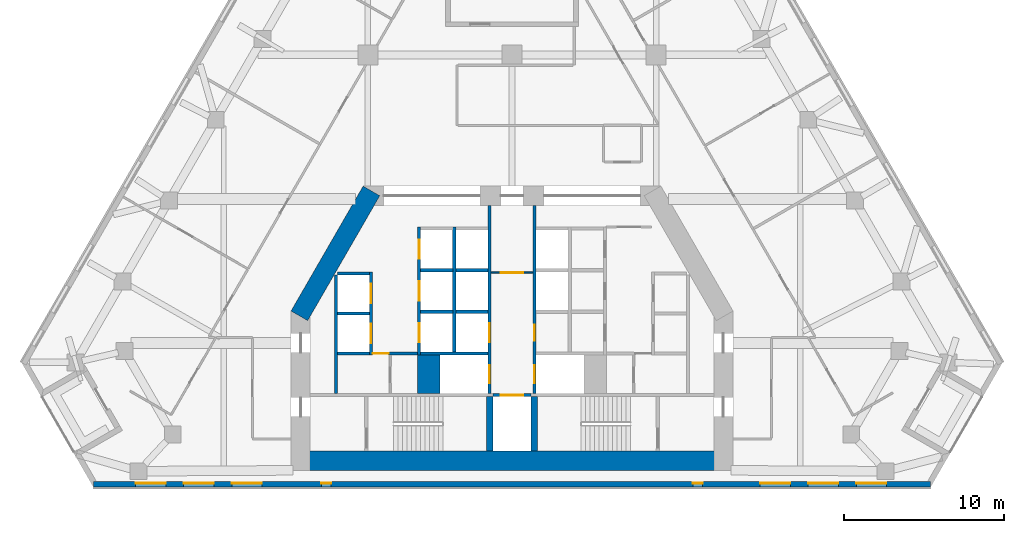
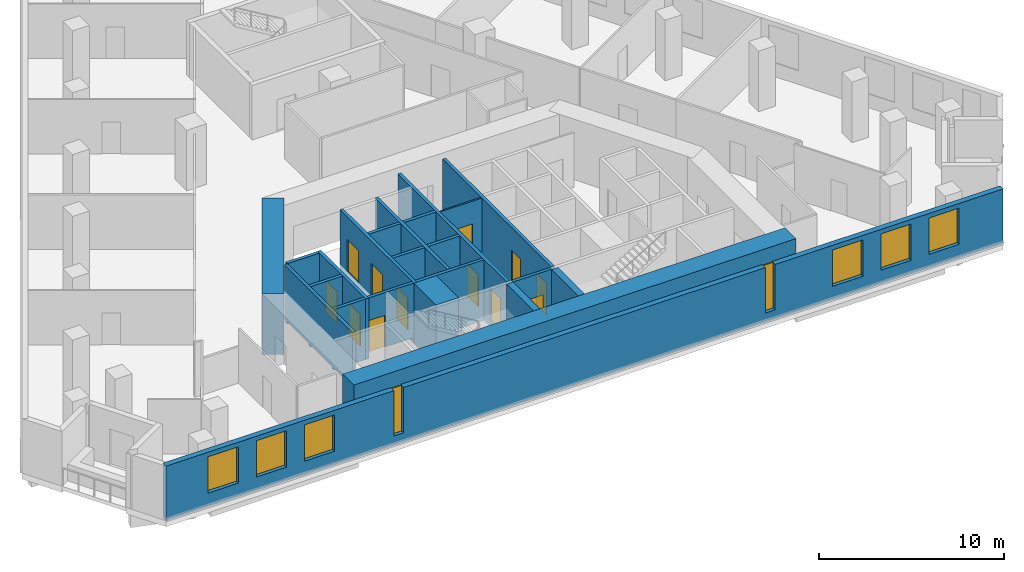
# One storey, part 4 of 9: 23 walls, 12 doors, 8 windows, 20 openings.
"""IFC4 building model written with IfcOpenShell, lengths in metres."""

import ifcopenshell
import ifcopenshell.guid

model = None  # the IFC model being written
_history = None  # IfcOwnerHistory: only IFC2X3 demands one
_inside = {}  # id of a spatial element -> (the spatial element, [elements in it])
_under = {}  # id of a project, library or spatial element -> (it, [spatial elements below it])
_declared = {}  # id of a project -> (the project, [libraries it declares])
_typed = {}  # id of a type object -> (the type object, [elements of that type])
_made_of = {}  # id of a material, layer set ... -> (it, [elements and type objects made of it])


def new_model(schema):
    """Start an empty IFC model of exactly this schema.

    Asked for "IFC4X3", IfcOpenShell would pick the latest addendum, in which some entities
    have other attributes; the version numbers below select the first issue.
    IFC2X3 requires an IfcOwnerHistory on every rooted entity: one is made here for all.
    """
    global model, _history
    if schema == "IFC4X3":
        model = ifcopenshell.file(schema_version=(4, 3, 0, 0))
    else:
        model = ifcopenshell.file(schema=schema)
    _inside.clear()
    _under.clear()
    _declared.clear()
    _typed.clear()
    _made_of.clear()
    _history = None
    if model.schema == "IFC2X3":
        org = make("IfcOrganization", Name="unknown")
        user = make(
            "IfcPersonAndOrganization",
            ThePerson=make("IfcPerson", FamilyName="unknown"),
            TheOrganization=org,
        )
        app = make(
            "IfcApplication",
            ApplicationDeveloper=org,
            Version="unknown",
            ApplicationFullName="unknown",
            ApplicationIdentifier="unknown",
        )
        _history = make(
            "IfcOwnerHistory",
            OwningUser=user,
            OwningApplication=app,
            ChangeAction="ADDED",
            CreationDate=0,
        )
    return model


def make(cls, **values):
    """One entity of the class cls with the attributes given. An attribute that is None is left unset."""
    return model.create_entity(
        cls, **{name: value for name, value in values.items() if value is not None}
    )


def rooted(cls, **values):
    """An entity with a GlobalId (a new one), such as an element, a storey or a relation."""
    return make(cls, GlobalId=ifcopenshell.guid.new(), OwnerHistory=_history, **values)


def si_unit(unit_type, name, prefix=None):
    """IfcSIUnit, for example si_unit("LENGTHUNIT", "METRE", prefix="MILLI")."""
    return make("IfcSIUnit", UnitType=unit_type, Prefix=prefix, Name=name)


def assignment(units):
    """IfcUnitAssignment: the units of a project."""
    return None if units is None else make("IfcUnitAssignment", Units=units)


def point(xyz):
    """IfcCartesianPoint."""
    return None if xyz is None else make("IfcCartesianPoint", Coordinates=xyz)


def direction(xyz):
    """IfcDirection."""
    return None if xyz is None else make("IfcDirection", DirectionRatios=xyz)


def frame(location, z_axis=None, x_axis=None):
    """IfcAxis2Placement3D, a coordinate frame: its origin and axes. An axis left out is left unset."""
    return make(
        "IfcAxis2Placement3D",
        Location=point(location),
        Axis=direction(z_axis),
        RefDirection=direction(x_axis),
    )


def frame_2d(location, x_axis=None):
    """IfcAxis2Placement2D, a coordinate frame in the plane: its origin and x axis."""
    return make(
        "IfcAxis2Placement2D", Location=point(location), RefDirection=direction(x_axis)
    )


def origin():
    """The frame at (0, 0, 0) with its axes left unset."""
    return frame((0.0, 0.0, 0.0))


def place(relative_to, where):
    """IfcLocalPlacement: puts the frame where relative to a parent placement (None: the world)."""
    return make(
        "IfcLocalPlacement", PlacementRelTo=relative_to, RelativePlacement=where
    )


def context(
    kind, dimensions, precision=None, world=None, true_north=None, identifier=None
):
    """IfcGeometricRepresentationContext, for example the 3D "Model" context."""
    return make(
        "IfcGeometricRepresentationContext",
        ContextIdentifier=identifier,
        ContextType=kind,
        CoordinateSpaceDimension=dimensions,
        Precision=precision,
        WorldCoordinateSystem=world,
        TrueNorth=true_north,
    )


def subcontext(parent, identifier, kind, view, scale=None):
    """IfcGeometricRepresentationSubContext, for example "Body" below "Model"."""
    return make(
        "IfcGeometricRepresentationSubContext",
        ContextIdentifier=identifier,
        ContextType=kind,
        ParentContext=parent,
        TargetScale=scale,
        TargetView=view,
    )


def project(units=None, contexts=None):
    """IfcProject with its units and contexts."""
    return rooted(
        "IfcProject",
        Name="project",
        RepresentationContexts=contexts,
        UnitsInContext=assignment(units),
    )


def spatial(cls, under=None, at=None, **own):
    """A site, building, storey or space (cls), placed at a placement, below another one or the project."""
    s = rooted(cls, ObjectPlacement=at, **own)
    if under is not None:
        _under.setdefault(under.id(), (under, []))[1].append(s)
    return s


def profile(cls, at=None, kind="AREA", **sizes):
    """A parametric profile (cls). Its sizes go by their IFC names, for example OverallWidth=200.0."""
    return make(cls, ProfileType=kind, Position=at, **sizes)


def rectangle(**sizes):
    """IfcRectangleProfileDef."""
    return profile("IfcRectangleProfileDef", **sizes)


def extrude(swept, where, along, depth):
    """IfcExtrudedAreaSolid: the profile swept, set in the frame where, extruded along a direction by depth."""
    return make(
        "IfcExtrudedAreaSolid",
        SweptArea=swept,
        Position=where,
        ExtrudedDirection=direction(along),
        Depth=depth,
    )


def shape(context_of_items, identifier, shape_type, items):
    """IfcShapeRepresentation: the items that make up one representation, for example the "Body"."""
    return make(
        "IfcShapeRepresentation",
        ContextOfItems=context_of_items,
        RepresentationIdentifier=identifier,
        RepresentationType=shape_type,
        Items=items,
    )


def material(Name=None, Category=None):
    """IfcMaterial."""
    return make("IfcMaterial", Name=Name, Category=Category)


def layer(
    of_material, thickness, ventilated=None, Name=None, Category=None, Priority=None
):
    """IfcMaterialLayer: one layer of a wall or slab, of a material (None: an air gap)."""
    return make(
        "IfcMaterialLayer",
        Material=of_material,
        LayerThickness=thickness,
        IsVentilated=ventilated,
        Name=Name,
        Category=Category,
        Priority=Priority,
    )


def layer_set(layers, Name=None):
    """IfcMaterialLayerSet."""
    return make("IfcMaterialLayerSet", MaterialLayers=layers, LayerSetName=Name)


def made_of(thing, what):
    """Note that an element or type object is made of a material, layer set ...; save() writes the relation."""
    if what is not None:
        _made_of.setdefault(what.id(), (what, []))[1].append(thing)
    return thing


def type_object(cls, material=None, **own):
    """A type object (cls), such as IfcWallType, which elements share."""
    return made_of(rooted(cls, **own), material)


def element(
    cls,
    number,
    at=None,
    inside=None,
    cuts=None,
    type_object=None,
    material=None,
    context=None,
    identifier="Body",
    shape_type=None,
    held_by="IfcProductDefinitionShape",
    body=None,
    shapes=None,
    **own,
):
    """One element of the class cls, such as IfcWall. Its Tag is "e" and its number.

    at: its placement. inside: the storey or other place that contains it. cuts: it is an
    opening in that element (IfcRelVoidsElement). A single representation is given by context,
    identifier, shape_type and body (its items); several are given by shapes. held_by: the class
    of the entity that holds the representations. save() writes the other relations.
    """
    e = rooted(cls, Tag="e%d" % number, ObjectPlacement=at, **own)
    if body is not None:
        shapes = [shape(context, identifier, shape_type, body)]
    if shapes is not None:
        e.Representation = make(held_by, Representations=shapes)
    if inside is not None:
        _inside.setdefault(inside.id(), (inside, []))[1].append(e)
    if cuts is not None:
        rooted(
            "IfcRelVoidsElement", RelatingBuildingElement=cuts, RelatedOpeningElement=e
        )
    if type_object is not None:
        _typed.setdefault(type_object.id(), (type_object, []))[1].append(e)
    return made_of(e, material)


def fill(opening, filler):
    """IfcRelFillsElement: the door or window that sits in an opening."""
    return rooted(
        "IfcRelFillsElement",
        RelatingOpeningElement=opening,
        RelatedBuildingElement=filler,
    )


def aggregate(whole, parts):
    """IfcRelAggregates: a whole, such as a stair, and the parts it consists of."""
    return rooted("IfcRelAggregates", RelatingObject=whole, RelatedObjects=parts)


def save(model, path):
    """Write the relations noted so far, then the file.

    IfcRelAggregates (storeys below a building ...), IfcRelContainedInSpatialStructure (elements
    in a storey), IfcRelDefinesByType, IfcRelAssociatesMaterial and IfcRelDeclares: one each for
    every whole, place, type object, material and project.
    """
    for whole, parts in _under.values():
        aggregate(whole, parts)
    for where, things in _inside.values():
        rooted(
            "IfcRelContainedInSpatialStructure",
            RelatedElements=things,
            RelatingStructure=where,
        )
    for kind, things in _typed.values():
        rooted("IfcRelDefinesByType", RelatedObjects=things, RelatingType=kind)
    for what, things in _made_of.values():
        rooted("IfcRelAssociatesMaterial", RelatedObjects=things, RelatingMaterial=what)
    for by, libraries in _declared.values():
        rooted("IfcRelDeclares", RelatingContext=by, RelatedDefinitions=libraries)
    model.write(path)


model = new_model("IFC4")

# Units and contexts
model_context = context("Model", 3, precision=1e-05, world=origin(), true_north=direction((0.0, 1.0)))
body_context = subcontext(model_context, "Body", "Model", "MODEL_VIEW")
ifc_project = project(units=[si_unit("LENGTHUNIT", "METRE"), si_unit("AREAUNIT", "SQUARE_METRE"), si_unit("VOLUMEUNIT", "CUBIC_METRE"), si_unit("PLANEANGLEUNIT", "RADIAN"), si_unit("MASSUNIT", "GRAM", prefix="KILO")], contexts=[model_context])

# Site, building, storey
site_placement = place(None, origin())
site = spatial("IfcSite", under=ifc_project, at=site_placement, CompositionType="ELEMENT")
building_placement = place(site_placement, origin())
building = spatial("IfcBuilding", under=site, at=building_placement, Name="Fogline Exchange Tower", CompositionType="ELEMENT")
storey_placement = place(building_placement, frame((0.0, 0.0, 100.10009765625)))
storey = spatial("IfcBuildingStorey", under=building, at=storey_placement, Name="L21", CompositionType="ELEMENT", Elevation=100.10009765625)

# Wall, opening, door
ifc_material_1 = material(Name="Blockwork partition", Category="masonry")
ifc_layer_1 = layer(ifc_material_1, 0.10009765625)
ifc_layer_set_1 = layer_set([ifc_layer_1], Name="CW10")
wall_type_1 = type_object("IfcWallType", Name="CW10", PredefinedType="PARTITIONING", material=ifc_layer_set_1)
wall_1_placement = place(storey_placement, frame((-1.300048828125, 13.39990234375, 0.0), z_axis=(0.0, 0.0, 1.0), x_axis=(1.0, 0.0, 0.0)))
wall_1 = element("IfcWall", 1, at=wall_1_placement, inside=storey, type_object=wall_type_1, Name="Lift lobby partition", PredefinedType="PARTITIONING", context=body_context, shape_type="SweptSolid", body=[
    extrude(rectangle(XDim=2.60009765625, YDim=0.10009765625, at=frame_2d((1.300048828125, 0.0))), origin(), (0.0, 0.0, 1.0), 3.599853515625),
])
opening_1_placement = place(wall_1_placement, frame((0.60009765625, 0.0, 0.0)))
opening_1 = element("IfcOpeningElement", 2, at=opening_1_placement, cuts=wall_1, Name="Opening T06-C018", PredefinedType="OPENING", context=body_context, shape_type="SweptSolid", body=[
    extrude(rectangle(XDim=1.39990234375, YDim=2.10009765625, at=frame_2d((0.699951171875, 1.050048828125))), frame((0.0, 0.06005859375, 0.0), z_axis=(0.0, -1.0, 0.0), x_axis=(1.0, 0.0, 0.0)), (0.0, 0.0, 1.0), 0.1201171875),
])
ifc_material_2 = material(Name="Steel and timber fire door", Category="steel")
door_type_1 = type_object("IfcDoorType", Name="D-LB1", OperationType="DOUBLE_DOOR_SINGLE_SWING", PredefinedType="DOOR", material=ifc_material_2)
door_1_placement = place(opening_1_placement, origin())
door_1 = element("IfcDoor", 3, at=door_1_placement, inside=storey, type_object=door_type_1, Name="Door to firefighting lift lobby", OperationType="DOUBLE_DOOR_SINGLE_SWING", OverallHeight=2.10009765625, OverallWidth=1.39990234375, PredefinedType="DOOR", context=body_context, shape_type="SweptSolid", body=[
    extrude(rectangle(XDim=1.39990234375, YDim=2.10009765625, at=frame_2d((0.699951171875, 1.050048828125))), frame((0.0, 0.02490234375, 0.0), z_axis=(0.0, -1.0, 0.0), x_axis=(1.0, 0.0, 0.0)), (0.0, 0.0, 1.0), 0.050048828125),
])
fill(opening_1, door_1)

# Walls
ifc_material_3 = material(Name="Concrete C60", Category="concrete")
ifc_layer_2 = layer(ifc_material_3, 1.39990234375)
ifc_layer_set_2 = layer_set([ifc_layer_2], Name="CW140")
wall_type_2 = type_object("IfcWallType", Name="CW140", PredefinedType="SOLIDWALL", material=ifc_layer_set_2)
wall_2_placement = place(storey_placement, frame((-5.199951171875, 5.85009765625, -0.400146484375), z_axis=(0.0, 0.0, 1.0), x_axis=(0.0, 1.0, 0.0)))
element("IfcWall", 4, at=wall_2_placement, inside=storey, type_object=wall_type_2, Name="Lift shaft block wall", PredefinedType="SOLIDWALL", context=body_context, shape_type="SweptSolid", body=[
    extrude(rectangle(XDim=2.39990234375, YDim=1.39990234375, at=frame_2d((1.199951171875, 0.0))), origin(), (0.0, 0.0, 1.0), 4.0),
])
ifc_material_4 = material(Name="Concrete C40", Category="concrete")
ifc_layer_3 = layer(ifc_material_4, 0.199951171875)
ifc_layer_set_3 = layer_set([ifc_layer_3], Name="CW20")
wall_type_3 = type_object("IfcWallType", Name="CW20", PredefinedType="SOLIDWALL", material=ifc_layer_set_3)
wall_3_placement = place(storey_placement, frame((-11.0, 5.85009765625, 0.0), z_axis=(0.0, 0.0, 1.0), x_axis=(0.0, 1.0, 0.0)))
element("IfcWall", 5, at=wall_3_placement, inside=storey, type_object=wall_type_3, Name="Service room wall", PredefinedType="SOLIDWALL", context=body_context, shape_type="SweptSolid", body=[
    extrude(rectangle(XDim=7.39990234375, YDim=0.199951171875, at=frame_2d((3.699951171875, 0.0))), origin(), (0.0, 0.0, 1.0), 3.599853515625),
])

# Wall, opening, door
wall_4_placement = place(storey_placement, frame((-8.699951171875, 8.35009765625, 0.0), z_axis=(0.0, 0.0, 1.0), x_axis=(1.0, 0.0, 0.0)))
wall_4 = element("IfcWall", 6, at=wall_4_placement, inside=storey, type_object=wall_type_3, Name="WC wall", PredefinedType="SOLIDWALL", context=body_context, shape_type="SweptSolid", body=[
    extrude(rectangle(XDim=2.800048828125, YDim=0.199951171875, at=frame_2d((1.39990234375, 0.0))), origin(), (0.0, 0.0, 1.0), 3.599853515625),
])
opening_2_placement = place(wall_4_placement, origin())
opening_2 = element("IfcOpeningElement", 7, at=opening_2_placement, cuts=wall_4, Name="Opening T06-C007", PredefinedType="OPENING", context=body_context, shape_type="SweptSolid", body=[
    extrude(rectangle(XDim=1.0, YDim=2.10009765625, at=frame_2d((0.5, 1.050048828125))), frame((0.0, 0.10986328125, 0.0), z_axis=(0.0, -1.0, 0.0), x_axis=(1.0, 0.0, 0.0)), (0.0, 0.0, 1.0), 0.219970703125),
])
door_type_2 = type_object("IfcDoorType", Name="D-WC1", OperationType="SINGLE_SWING_LEFT", PredefinedType="DOOR", material=ifc_material_2)
door_2_placement = place(opening_2_placement, frame((1.0, 0.0, 0.0), z_axis=(0.0, 0.0, 1.0), x_axis=(-1.0, 0.0, 0.0)))
door_2 = element("IfcDoor", 8, at=door_2_placement, inside=storey, type_object=door_type_2, Name="Door to Men's WC", OperationType="SINGLE_SWING_LEFT", OverallHeight=2.10009765625, OverallWidth=1.0, PredefinedType="DOOR", context=body_context, shape_type="SweptSolid", body=[
    extrude(rectangle(XDim=1.0, YDim=2.10009765625, at=frame_2d((0.5, 1.050048828125))), frame((0.0, 0.02490234375, 0.0), z_axis=(0.0, -1.0, 0.0), x_axis=(1.0, 0.0, 0.0)), (0.0, 0.0, 1.0), 0.050048828125),
])
fill(opening_2, door_2)

ifc_layer_4 = layer(ifc_material_4, 0.199951171875)
ifc_layer_set_4 = layer_set([ifc_layer_4], Name="CW20R")
wall_type_4 = type_object("IfcWallType", Name="CW20R", PredefinedType="SOLIDWALL", material=ifc_layer_set_4)
wall_5_placement = place(storey_placement, frame((-1.199951171875, 5.75, -0.400146484375), z_axis=(0.0, 0.0, 1.0), x_axis=(1.0, 0.0, 0.0)))
wall_5 = element("IfcWall", 9, at=wall_5_placement, inside=storey, type_object=wall_type_4, Name="Stair enclosure wall", PredefinedType="SOLIDWALL", context=body_context, shape_type="SweptSolid", body=[
    extrude(rectangle(XDim=2.39990234375, YDim=0.199951171875, at=frame_2d((1.199951171875, 0.0))), origin(), (0.0, 0.0, 1.0), 4.0),
])
opening_3_placement = place(wall_5_placement, frame((0.5, 0.0, 0.39990234375)))
opening_3 = element("IfcOpeningElement", 10, at=opening_3_placement, cuts=wall_5, Name="Opening T06-LD09", PredefinedType="OPENING", context=body_context, shape_type="SweptSolid", body=[
    extrude(rectangle(XDim=1.39990234375, YDim=2.10009765625, at=frame_2d((0.699951171875, 1.050048828125))), frame((0.0, 0.10986328125, 0.0), z_axis=(0.0, -1.0, 0.0), x_axis=(1.0, 0.0, 0.0)), (0.0, 0.0, 1.0), 0.219970703125),
])
door_type_3 = type_object("IfcDoorType", Name="LD3", OperationType="SLIDING_TO_LEFT", PredefinedType="DOOR", material=ifc_material_2)
door_3_placement = place(opening_3_placement, origin())
door_3 = element("IfcDoor", 11, at=door_3_placement, inside=storey, type_object=door_type_3, Name="Landing door GL1", OperationType="SLIDING_TO_LEFT", OverallHeight=2.10009765625, OverallWidth=1.39990234375, PredefinedType="DOOR", context=body_context, shape_type="SweptSolid", body=[
    extrude(rectangle(XDim=1.39990234375, YDim=2.10009765625, at=frame_2d((0.699951171875, 1.050048828125))), frame((0.0, 0.02490234375, 0.0), z_axis=(0.0, -1.0, 0.0), x_axis=(1.0, 0.0, 0.0)), (0.0, 0.0, 1.0), 0.050048828125),
])
fill(opening_3, door_3)

# Wall, openings, doors
ifc_layer_5 = layer(ifc_material_4, 0.199951171875)
ifc_layer_set_5 = layer_set([ifc_layer_5], Name="CW20S")
wall_type_5 = type_object("IfcWallType", Name="CW20S", PredefinedType="SOLIDWALL", material=ifc_layer_set_5)
wall_6_placement = place(storey_placement, frame((-8.800048828125, 8.25, -0.400146484375), z_axis=(0.0, 0.0, 1.0), x_axis=(0.0, 1.0, 0.0)))
wall_6 = element("IfcWall", 12, at=wall_6_placement, inside=storey, type_object=wall_type_5, Name="Lift shaft wall", PredefinedType="SOLIDWALL", context=body_context, shape_type="SweptSolid", body=[
    extrude(rectangle(XDim=5.199951171875, YDim=0.199951171875, at=frame_2d((2.60009765625, 0.0))), origin(), (0.0, 0.0, 1.0), 4.0),
])
opening_4_placement = place(wall_6_placement, frame((0.75, 0.0, 0.39990234375)))
opening_4 = element("IfcOpeningElement", 13, at=opening_4_placement, cuts=wall_6, Name="Opening T06-LD01", PredefinedType="OPENING", context=body_context, shape_type="SweptSolid", body=[
    extrude(rectangle(XDim=1.199951171875, YDim=2.10009765625, at=frame_2d((0.60009765625, 1.050048828125))), frame((0.0, 0.10986328125, 0.0), z_axis=(0.0, -1.0, 0.0), x_axis=(1.0, 0.0, 0.0)), (0.0, 0.0, 1.0), 0.219970703125),
])
opening_5_placement = place(wall_6_placement, frame((3.25, 0.0, 0.39990234375)))
opening_5 = element("IfcOpeningElement", 14, at=opening_5_placement, cuts=wall_6, Name="Opening T06-LD02", PredefinedType="OPENING", context=body_context, shape_type="SweptSolid", body=[
    extrude(rectangle(XDim=1.199951171875, YDim=2.10009765625, at=frame_2d((0.60009765625, 1.050048828125))), frame((0.0, 0.10986328125, 0.0), z_axis=(0.0, -1.0, 0.0), x_axis=(1.0, 0.0, 0.0)), (0.0, 0.0, 1.0), 0.219970703125),
])
door_type_4 = type_object("IfcDoorType", Name="LD1", OperationType="SLIDING_TO_LEFT", PredefinedType="DOOR", material=ifc_material_2)
door_4_placement = place(opening_4_placement, origin())
door_4 = element("IfcDoor", 15, at=door_4_placement, inside=storey, type_object=door_type_4, Name="Landing door LR1", OperationType="SLIDING_TO_LEFT", OverallHeight=2.10009765625, OverallWidth=1.199951171875, PredefinedType="DOOR", context=body_context, shape_type="SweptSolid", body=[
    extrude(rectangle(XDim=1.199951171875, YDim=2.10009765625, at=frame_2d((0.60009765625, 1.050048828125))), frame((0.0, 0.02490234375, 0.0), z_axis=(0.0, -1.0, 0.0), x_axis=(1.0, 0.0, 0.0)), (0.0, 0.0, 1.0), 0.050048828125),
])
fill(opening_4, door_4)
door_5_placement = place(opening_5_placement, origin())
door_5 = element("IfcDoor", 16, at=door_5_placement, inside=storey, type_object=door_type_4, Name="Landing door LR2", OperationType="SLIDING_TO_LEFT", OverallHeight=2.10009765625, OverallWidth=1.199951171875, PredefinedType="DOOR", context=body_context, shape_type="SweptSolid", body=[
    extrude(rectangle(XDim=1.199951171875, YDim=2.10009765625, at=frame_2d((0.60009765625, 1.050048828125))), frame((0.0, 0.02490234375, 0.0), z_axis=(0.0, -1.0, 0.0), x_axis=(1.0, 0.0, 0.0)), (0.0, 0.0, 1.0), 0.050048828125),
])
fill(opening_5, door_5)

wall_7_placement = place(storey_placement, frame((-5.800048828125, 8.25, -0.400146484375), z_axis=(0.0, 0.0, 1.0), x_axis=(0.0, 1.0, 0.0)))
wall_7 = element("IfcWall", 17, at=wall_7_placement, inside=storey, type_object=wall_type_5, Name="Lift shaft wall", PredefinedType="SOLIDWALL", context=body_context, shape_type="SweptSolid", body=[
    extrude(rectangle(XDim=8.0, YDim=0.199951171875, at=frame_2d((4.0, 0.0))), origin(), (0.0, 0.0, 1.0), 4.0),
])
opening_6_placement = place(wall_7_placement, frame((0.800048828125, 0.0, 0.39990234375)))
opening_6 = element("IfcOpeningElement", 18, at=opening_6_placement, cuts=wall_7, Name="Opening T06-LD03", PredefinedType="OPENING", context=body_context, shape_type="SweptSolid", body=[
    extrude(rectangle(XDim=1.199951171875, YDim=2.10009765625, at=frame_2d((0.60009765625, 1.050048828125))), frame((0.0, 0.10986328125, 0.0), z_axis=(0.0, -1.0, 0.0), x_axis=(1.0, 0.0, 0.0)), (0.0, 0.0, 1.0), 0.219970703125),
])
opening_7_placement = place(wall_7_placement, frame((3.39990234375, 0.0, 0.39990234375)))
opening_7 = element("IfcOpeningElement", 19, at=opening_7_placement, cuts=wall_7, Name="Opening T06-LD04", PredefinedType="OPENING", context=body_context, shape_type="SweptSolid", body=[
    extrude(rectangle(XDim=1.199951171875, YDim=2.10009765625, at=frame_2d((0.60009765625, 1.050048828125))), frame((0.0, 0.10986328125, 0.0), z_axis=(0.0, -1.0, 0.0), x_axis=(1.0, 0.0, 0.0)), (0.0, 0.0, 1.0), 0.219970703125),
])
opening_8_placement = place(wall_7_placement, frame((6.0, 0.0, 0.39990234375)))
opening_8 = element("IfcOpeningElement", 20, at=opening_8_placement, cuts=wall_7, Name="Opening T06-LD05", PredefinedType="OPENING", context=body_context, shape_type="SweptSolid", body=[
    extrude(rectangle(XDim=1.199951171875, YDim=2.10009765625, at=frame_2d((0.60009765625, 1.050048828125))), frame((0.0, 0.10986328125, 0.0), z_axis=(0.0, -1.0, 0.0), x_axis=(1.0, 0.0, 0.0)), (0.0, 0.0, 1.0), 0.219970703125),
])
door_6_placement = place(opening_6_placement, origin())
door_6 = element("IfcDoor", 21, at=door_6_placement, inside=storey, type_object=door_type_4, Name="Landing door LR3", OperationType="SLIDING_TO_LEFT", OverallHeight=2.10009765625, OverallWidth=1.199951171875, PredefinedType="DOOR", context=body_context, shape_type="SweptSolid", body=[
    extrude(rectangle(XDim=1.199951171875, YDim=2.10009765625, at=frame_2d((0.60009765625, 1.050048828125))), frame((0.0, 0.02490234375, 0.0), z_axis=(0.0, -1.0, 0.0), x_axis=(1.0, 0.0, 0.0)), (0.0, 0.0, 1.0), 0.050048828125),
])
fill(opening_6, door_6)
door_7_placement = place(opening_7_placement, origin())
door_7 = element("IfcDoor", 22, at=door_7_placement, inside=storey, type_object=door_type_4, Name="Landing door LR4", OperationType="SLIDING_TO_LEFT", OverallHeight=2.10009765625, OverallWidth=1.199951171875, PredefinedType="DOOR", context=body_context, shape_type="SweptSolid", body=[
    extrude(rectangle(XDim=1.199951171875, YDim=2.10009765625, at=frame_2d((0.60009765625, 1.050048828125))), frame((0.0, 0.02490234375, 0.0), z_axis=(0.0, -1.0, 0.0), x_axis=(1.0, 0.0, 0.0)), (0.0, 0.0, 1.0), 0.050048828125),
])
fill(opening_7, door_7)
door_8_placement = place(opening_8_placement, origin())
door_8 = element("IfcDoor", 23, at=door_8_placement, inside=storey, type_object=door_type_4, Name="Landing door LR5", OperationType="SLIDING_TO_LEFT", OverallHeight=2.10009765625, OverallWidth=1.199951171875, PredefinedType="DOOR", context=body_context, shape_type="SweptSolid", body=[
    extrude(rectangle(XDim=1.199951171875, YDim=2.10009765625, at=frame_2d((0.60009765625, 1.050048828125))), frame((0.0, 0.02490234375, 0.0), z_axis=(0.0, -1.0, 0.0), x_axis=(1.0, 0.0, 0.0)), (0.0, 0.0, 1.0), 0.050048828125),
])
fill(opening_8, door_8)

# Wall
wall_8_placement = place(storey_placement, frame((-3.60009765625, 8.449951171875, -0.400146484375), z_axis=(0.0, 0.0, 1.0), x_axis=(0.0, 1.0, 0.0)))
element("IfcWall", 24, at=wall_8_placement, inside=storey, type_object=wall_type_5, Name="Lift shaft wall", PredefinedType="SOLIDWALL", context=body_context, shape_type="SweptSolid", body=[
    extrude(rectangle(XDim=7.800048828125, YDim=0.199951171875, at=frame_2d((3.89990234375, 0.0))), origin(), (0.0, 0.0, 1.0), 4.0),
])

# Wall, openings, doors
wall_9_placement = place(storey_placement, frame((-1.39990234375, 5.85009765625, -0.400146484375), z_axis=(0.0, 0.0, 1.0), x_axis=(0.0, 1.0, 0.0)))
wall_9 = element("IfcWall", 25, at=wall_9_placement, inside=storey, type_object=wall_type_5, Name="Lift lobby wall", PredefinedType="SOLIDWALL", context=body_context, shape_type="SweptSolid", body=[
    extrude(rectangle(XDim=11.75, YDim=0.199951171875, at=frame_2d((5.875, 0.0))), origin(), (0.0, 0.0, 1.0), 4.0),
])
opening_9_placement = place(wall_9_placement, frame((3.199951171875, 0.0, 0.39990234375)))
opening_9 = element("IfcOpeningElement", 26, at=opening_9_placement, cuts=wall_9, Name="Opening T06-LD06", PredefinedType="OPENING", context=body_context, shape_type="SweptSolid", body=[
    extrude(rectangle(XDim=1.199951171875, YDim=2.10009765625, at=frame_2d((0.60009765625, 1.050048828125))), frame((0.0, 0.10986328125, 0.0), z_axis=(0.0, -1.0, 0.0), x_axis=(1.0, 0.0, 0.0)), (0.0, 0.0, 1.0), 0.219970703125),
])
opening_10_placement = place(wall_9_placement, frame((0.64990234375, 0.0, 0.39990234375)))
opening_10 = element("IfcOpeningElement", 27, at=opening_10_placement, cuts=wall_9, Name="Opening T06-LD07", PredefinedType="OPENING", context=body_context, shape_type="SweptSolid", body=[
    extrude(rectangle(XDim=1.10009765625, YDim=2.10009765625, at=frame_2d((0.550048828125, 1.050048828125))), frame((0.0, 0.10986328125, 0.0), z_axis=(0.0, -1.0, 0.0), x_axis=(1.0, 0.0, 0.0)), (0.0, 0.0, 1.0), 0.219970703125),
])
door_9_placement = place(opening_9_placement, origin())
door_9 = element("IfcDoor", 28, at=door_9_placement, inside=storey, type_object=door_type_4, Name="Landing door LR6", OperationType="SLIDING_TO_LEFT", OverallHeight=2.10009765625, OverallWidth=1.199951171875, PredefinedType="DOOR", context=body_context, shape_type="SweptSolid", body=[
    extrude(rectangle(XDim=1.199951171875, YDim=2.10009765625, at=frame_2d((0.60009765625, 1.050048828125))), frame((0.0, 0.02490234375, 0.0), z_axis=(0.0, -1.0, 0.0), x_axis=(1.0, 0.0, 0.0)), (0.0, 0.0, 1.0), 0.050048828125),
])
fill(opening_9, door_9)
door_type_5 = type_object("IfcDoorType", Name="LD2", OperationType="SLIDING_TO_RIGHT", PredefinedType="DOOR", material=ifc_material_2)
door_10_placement = place(opening_10_placement, origin())
door_10 = element("IfcDoor", 29, at=door_10_placement, inside=storey, type_object=door_type_5, Name="Landing door FF1", OperationType="SLIDING_TO_RIGHT", OverallHeight=2.10009765625, OverallWidth=1.10009765625, PredefinedType="DOOR", context=body_context, shape_type="SweptSolid", body=[
    extrude(rectangle(XDim=1.10009765625, YDim=2.10009765625, at=frame_2d((0.550048828125, 1.050048828125))), frame((0.0, 0.02490234375, 0.0), z_axis=(0.0, -1.0, 0.0), x_axis=(1.0, 0.0, 0.0)), (0.0, 0.0, 1.0), 0.050048828125),
])
fill(opening_10, door_10)

wall_10_placement = place(storey_placement, frame((1.39990234375, 5.85009765625, -0.400146484375), z_axis=(0.0, 0.0, 1.0), x_axis=(0.0, 1.0, 0.0)))
wall_10 = element("IfcWall", 30, at=wall_10_placement, inside=storey, type_object=wall_type_5, Name="Lift lobby wall", PredefinedType="SOLIDWALL", context=body_context, shape_type="SweptSolid", body=[
    extrude(rectangle(XDim=11.75, YDim=0.199951171875, at=frame_2d((5.875, 0.0))), origin(), (0.0, 0.0, 1.0), 4.0),
])
opening_11_placement = place(wall_10_placement, frame((0.64990234375, 0.0, 0.39990234375)))
opening_11 = element("IfcOpeningElement", 31, at=opening_11_placement, cuts=wall_10, Name="Opening T06-LD08", PredefinedType="OPENING", context=body_context, shape_type="SweptSolid", body=[
    extrude(rectangle(XDim=1.10009765625, YDim=2.10009765625, at=frame_2d((0.550048828125, 1.050048828125))), frame((0.0, 0.10986328125, 0.0), z_axis=(0.0, -1.0, 0.0), x_axis=(1.0, 0.0, 0.0)), (0.0, 0.0, 1.0), 0.219970703125),
])
opening_12_placement = place(wall_10_placement, frame((3.300048828125, 0.0, 0.39990234375)))
opening_12 = element("IfcOpeningElement", 32, at=opening_12_placement, cuts=wall_10, Name="Opening T06-C006", PredefinedType="OPENING", context=body_context, shape_type="SweptSolid", body=[
    extrude(rectangle(XDim=1.0, YDim=2.10009765625, at=frame_2d((0.5, 1.050048828125))), frame((0.0, 0.10986328125, 0.0), z_axis=(0.0, -1.0, 0.0), x_axis=(1.0, 0.0, 0.0)), (0.0, 0.0, 1.0), 0.219970703125),
])
door_type_6 = type_object("IfcDoorType", Name="D-RM1", OperationType="SINGLE_SWING_LEFT", PredefinedType="DOOR", material=ifc_material_2)
door_11_placement = place(opening_12_placement, frame((1.0, 0.0, 0.0), z_axis=(0.0, 0.0, 1.0), x_axis=(-1.0, 0.0, 0.0)))
door_11 = element("IfcDoor", 33, at=door_11_placement, inside=storey, type_object=door_type_6, Name="Door to Cable Store", OperationType="SINGLE_SWING_RIGHT", OverallHeight=2.10009765625, OverallWidth=1.0, PredefinedType="DOOR", context=body_context, shape_type="SweptSolid", body=[
    extrude(rectangle(XDim=1.0, YDim=2.10009765625, at=frame_2d((0.5, 1.050048828125))), frame((0.0, 0.02490234375, 0.0), z_axis=(0.0, -1.0, 0.0), x_axis=(1.0, 0.0, 0.0)), (0.0, 0.0, 1.0), 0.050048828125),
])
fill(opening_12, door_11)
door_12_placement = place(opening_11_placement, origin())
door_12 = element("IfcDoor", 34, at=door_12_placement, inside=storey, type_object=door_type_5, Name="Landing door FF2", OperationType="SLIDING_TO_RIGHT", OverallHeight=2.10009765625, OverallWidth=1.10009765625, PredefinedType="DOOR", context=body_context, shape_type="SweptSolid", body=[
    extrude(rectangle(XDim=1.10009765625, YDim=2.10009765625, at=frame_2d((0.550048828125, 1.050048828125))), frame((0.0, 0.02490234375, 0.0), z_axis=(0.0, -1.0, 0.0), x_axis=(1.0, 0.0, 0.0)), (0.0, 0.0, 1.0), 0.050048828125),
])
fill(opening_11, door_12)

# Walls
wall_11_placement = place(storey_placement, frame((-10.89990234375, 8.35009765625, -0.400146484375), z_axis=(0.0, 0.0, 1.0), x_axis=(1.0, 0.0, 0.0)))
element("IfcWall", 35, at=wall_11_placement, inside=storey, type_object=wall_type_5, Name="Lift shaft wall", PredefinedType="SOLIDWALL", context=body_context, shape_type="SweptSolid", body=[
    extrude(rectangle(XDim=2.0, YDim=0.199951171875, at=frame_2d((1.0, 0.0))), origin(), (0.0, 0.0, 1.0), 4.0),
])
wall_12_placement = place(storey_placement, frame((-5.699951171875, 8.35009765625, -0.400146484375), z_axis=(0.0, 0.0, 1.0), x_axis=(1.0, 0.0, 0.0)))
element("IfcWall", 36, at=wall_12_placement, inside=storey, type_object=wall_type_5, Name="Lift shaft wall", PredefinedType="SOLIDWALL", context=body_context, shape_type="SweptSolid", body=[
    extrude(rectangle(XDim=4.199951171875, YDim=0.199951171875, at=frame_2d((2.10009765625, 0.0))), origin(), (0.0, 0.0, 1.0), 4.0),
])
for number, where, z_axis, x_axis, name in (
    (37, (-10.89990234375, 10.85009765625, -0.400146484375), (0.0, 0.0, 1.0), (1.0, 0.0, 0.0), "Lift shaft wall"),
    (38, (-10.89990234375, 13.35009765625, -0.400146484375), (0.0, 0.0, 1.0), (1.0, 0.0, 0.0), "Lift shaft wall"),
    (39, (-5.699951171875, 10.949951171875, -0.400146484375), (0.0, 0.0, 1.0), (1.0, 0.0, 0.0), "Lift shaft wall"),
    (40, (-5.699951171875, 13.550048828125, -0.400146484375), (0.0, 0.0, 1.0), (1.0, 0.0, 0.0), "Lift shaft wall"),
    (41, (-3.5, 10.949951171875, -0.400146484375), (0.0, 0.0, 1.0), (1.0, 0.0, 0.0), "Lift shaft wall"),
    (42, (-3.5, 13.550048828125, -0.400146484375), (0.0, 0.0, 1.0), (1.0, 0.0, 0.0), "Lift shaft wall"),
):
    element("IfcWall", number, at=place(storey_placement, frame(where, z_axis=z_axis, x_axis=x_axis)), inside=storey, type_object=wall_type_5, Name=name, PredefinedType="SOLIDWALL", context=body_context, shape_type="SweptSolid", body=[
        extrude(rectangle(XDim=2.0, YDim=0.199951171875, at=frame_2d((1.0, 0.0))), origin(), (0.0, 0.0, 1.0), 4.0),
    ])
ifc_layer_6 = layer(ifc_material_4, 0.39990234375)
ifc_layer_set_6 = layer_set([ifc_layer_6], Name="CW40R")
wall_type_6 = type_object("IfcWallType", Name="CW40R", PredefinedType="SOLIDWALL", material=ifc_layer_set_6)
for number, where, z_axis, x_axis, name in (
    (43, (-1.39990234375, 2.25, -0.400146484375), (0.0, 0.0, 1.0), (0.0, 1.0, 0.0), "Stair and lift shaft wall"),
    (44, (1.39990234375, 2.25, -0.400146484375), (0.0, 0.0, 1.0), (0.0, 1.0, 0.0), "Stair and lift shaft wall"),
):
    element("IfcWall", number, at=place(storey_placement, frame(where, z_axis=z_axis, x_axis=x_axis)), inside=storey, type_object=wall_type_6, Name=name, PredefinedType="SOLIDWALL", context=body_context, shape_type="SweptSolid", body=[
        extrude(rectangle(XDim=3.39990234375, YDim=0.39990234375, at=frame_2d((1.699951171875, 0.0))), origin(), (0.0, 0.0, 1.0), 4.0),
    ])

# Wall, openings, windows
ifc_material_5 = material(Name="Brick masonry", Category="masonry")
ifc_layer_7 = layer(ifc_material_5, 0.340087890625)
ifc_layer_set_7 = layer_set([ifc_layer_7], Name="FW1")
wall_type_7 = type_object("IfcWallType", Name="FW1", PredefinedType="SOLIDWALL", material=ifc_layer_set_7)
wall_13_placement = place(storey_placement, frame((-26.137939453125, 0.169921875, 0.0), z_axis=(0.0, 0.0, 1.0), x_axis=(1.0, 0.0, 0.0)))
wall_13 = element("IfcWall", 45, at=wall_13_placement, inside=storey, type_object=wall_type_7, Name="Brick wall L21 S", PredefinedType="SOLIDWALL", context=body_context, shape_type="SweptSolid", body=[
    extrude(rectangle(XDim=52.27587890625, YDim=0.340087890625, at=frame_2d((26.137939453125, 0.0))), origin(), (0.0, 0.0, 1.0), 3.599853515625),
])
opening_13_placement = place(wall_13_placement, frame((2.637939453125, 0.0, 0.89990234375)))
opening_13 = element("IfcOpeningElement", 46, at=opening_13_placement, cuts=wall_13, Name="Opening W1", PredefinedType="OPENING", context=body_context, shape_type="SweptSolid", body=[
    extrude(rectangle(XDim=1.885009765625, YDim=2.39990234375, at=frame_2d((0.9423828125, 1.199951171875))), frame((0.0, 0.18017578125, 0.0), z_axis=(0.0, -1.0, 0.0), x_axis=(1.0, 0.0, 0.0)), (0.0, 0.0, 1.0), 0.360107421875),
])
opening_14_placement = place(wall_13_placement, frame((5.637939453125, 0.0, 0.89990234375)))
opening_14 = element("IfcOpeningElement", 47, at=opening_14_placement, cuts=wall_13, Name="Opening W1", PredefinedType="OPENING", context=body_context, shape_type="SweptSolid", body=[
    extrude(rectangle(XDim=1.885009765625, YDim=2.39990234375, at=frame_2d((0.9423828125, 1.199951171875))), frame((0.0, 0.18017578125, 0.0), z_axis=(0.0, -1.0, 0.0), x_axis=(1.0, 0.0, 0.0)), (0.0, 0.0, 1.0), 0.360107421875),
])
opening_15_placement = place(wall_13_placement, frame((8.637939453125, 0.0, 0.89990234375)))
opening_15 = element("IfcOpeningElement", 48, at=opening_15_placement, cuts=wall_13, Name="Opening W1", PredefinedType="OPENING", context=body_context, shape_type="SweptSolid", body=[
    extrude(rectangle(XDim=1.885009765625, YDim=2.39990234375, at=frame_2d((0.9423828125, 1.199951171875))), frame((0.0, 0.18017578125, 0.0), z_axis=(0.0, -1.0, 0.0), x_axis=(1.0, 0.0, 0.0)), (0.0, 0.0, 1.0), 0.360107421875),
])
opening_16_placement = place(wall_13_placement, frame((41.637939453125, 0.0, 0.89990234375)))
opening_16 = element("IfcOpeningElement", 49, at=opening_16_placement, cuts=wall_13, Name="Opening W1", PredefinedType="OPENING", context=body_context, shape_type="SweptSolid", body=[
    extrude(rectangle(XDim=1.885009765625, YDim=2.39990234375, at=frame_2d((0.9423828125, 1.199951171875))), frame((0.0, 0.18017578125, 0.0), z_axis=(0.0, -1.0, 0.0), x_axis=(1.0, 0.0, 0.0)), (0.0, 0.0, 1.0), 0.360107421875),
])
opening_17_placement = place(wall_13_placement, frame((44.637939453125, 0.0, 0.89990234375)))
opening_17 = element("IfcOpeningElement", 50, at=opening_17_placement, cuts=wall_13, Name="Opening W1", PredefinedType="OPENING", context=body_context, shape_type="SweptSolid", body=[
    extrude(rectangle(XDim=1.885009765625, YDim=2.39990234375, at=frame_2d((0.9423828125, 1.199951171875))), frame((0.0, 0.18017578125, 0.0), z_axis=(0.0, -1.0, 0.0), x_axis=(1.0, 0.0, 0.0)), (0.0, 0.0, 1.0), 0.360107421875),
])
opening_18_placement = place(wall_13_placement, frame((47.637939453125, 0.0, 0.89990234375)))
opening_18 = element("IfcOpeningElement", 51, at=opening_18_placement, cuts=wall_13, Name="Opening W1", PredefinedType="OPENING", context=body_context, shape_type="SweptSolid", body=[
    extrude(rectangle(XDim=1.885009765625, YDim=2.39990234375, at=frame_2d((0.9423828125, 1.199951171875))), frame((0.0, 0.18017578125, 0.0), z_axis=(0.0, -1.0, 0.0), x_axis=(1.0, 0.0, 0.0)), (0.0, 0.0, 1.0), 0.360107421875),
])
opening_19_placement = place(wall_13_placement, frame((14.238037109375, 0.0, 0.60009765625)))
opening_19 = element("IfcOpeningElement", 52, at=opening_19_placement, cuts=wall_13, Name="Opening W5", PredefinedType="OPENING", context=body_context, shape_type="SweptSolid", body=[
    extrude(rectangle(XDim=0.60009765625, YDim=3.0, at=frame_2d((0.300048828125, 1.5))), frame((0.0, 0.18017578125, 0.0), z_axis=(0.0, -1.0, 0.0), x_axis=(1.0, 0.0, 0.0)), (0.0, 0.0, 1.0), 0.360107421875),
])
opening_20_placement = place(wall_13_placement, frame((37.43798828125, 0.0, 0.60009765625)))
opening_20 = element("IfcOpeningElement", 53, at=opening_20_placement, cuts=wall_13, Name="Opening W5", PredefinedType="OPENING", context=body_context, shape_type="SweptSolid", body=[
    extrude(rectangle(XDim=0.60009765625, YDim=3.0, at=frame_2d((0.300048828125, 1.5))), frame((0.0, 0.18017578125, 0.0), z_axis=(0.0, -1.0, 0.0), x_axis=(1.0, 0.0, 0.0)), (0.0, 0.0, 1.0), 0.360107421875),
])
ifc_material_6 = material(Name="Aluminium and glass", Category="aluminium")
window_type_1 = type_object("IfcWindowType", Name="W1", PartitioningType="SINGLE_PANEL", PredefinedType="WINDOW", material=ifc_material_6)
window_1_placement = place(opening_13_placement, origin())
window_1 = element("IfcWindow", 54, at=window_1_placement, inside=storey, type_object=window_type_1, Name="W1 W1", OverallHeight=2.39990234375, OverallWidth=1.885009765625, PartitioningType="SINGLE_PANEL", PredefinedType="WINDOW", context=body_context, shape_type="SweptSolid", body=[
    extrude(rectangle(XDim=1.885009765625, YDim=2.39990234375, at=frame_2d((0.9423828125, 1.199951171875))), frame((0.0, 0.110107421875, 0.0), z_axis=(0.0, -1.0, 0.0), x_axis=(1.0, 0.0, 0.0)), (0.0, 0.0, 1.0), 0.06005859375),
])
fill(opening_13, window_1)
window_2_placement = place(opening_14_placement, origin())
window_2 = element("IfcWindow", 55, at=window_2_placement, inside=storey, type_object=window_type_1, Name="W1 W1", OverallHeight=2.39990234375, OverallWidth=1.885009765625, PartitioningType="SINGLE_PANEL", PredefinedType="WINDOW", context=body_context, shape_type="SweptSolid", body=[
    extrude(rectangle(XDim=1.885009765625, YDim=2.39990234375, at=frame_2d((0.9423828125, 1.199951171875))), frame((0.0, 0.110107421875, 0.0), z_axis=(0.0, -1.0, 0.0), x_axis=(1.0, 0.0, 0.0)), (0.0, 0.0, 1.0), 0.06005859375),
])
fill(opening_14, window_2)
window_3_placement = place(opening_15_placement, origin())
window_3 = element("IfcWindow", 56, at=window_3_placement, inside=storey, type_object=window_type_1, Name="W1 W1", OverallHeight=2.39990234375, OverallWidth=1.885009765625, PartitioningType="SINGLE_PANEL", PredefinedType="WINDOW", context=body_context, shape_type="SweptSolid", body=[
    extrude(rectangle(XDim=1.885009765625, YDim=2.39990234375, at=frame_2d((0.9423828125, 1.199951171875))), frame((0.0, 0.110107421875, 0.0), z_axis=(0.0, -1.0, 0.0), x_axis=(1.0, 0.0, 0.0)), (0.0, 0.0, 1.0), 0.06005859375),
])
fill(opening_15, window_3)
window_4_placement = place(opening_16_placement, origin())
window_4 = element("IfcWindow", 57, at=window_4_placement, inside=storey, type_object=window_type_1, Name="W1 W1", OverallHeight=2.39990234375, OverallWidth=1.885009765625, PartitioningType="SINGLE_PANEL", PredefinedType="WINDOW", context=body_context, shape_type="SweptSolid", body=[
    extrude(rectangle(XDim=1.885009765625, YDim=2.39990234375, at=frame_2d((0.9423828125, 1.199951171875))), frame((0.0, 0.110107421875, 0.0), z_axis=(0.0, -1.0, 0.0), x_axis=(1.0, 0.0, 0.0)), (0.0, 0.0, 1.0), 0.06005859375),
])
fill(opening_16, window_4)
window_5_placement = place(opening_17_placement, origin())
window_5 = element("IfcWindow", 58, at=window_5_placement, inside=storey, type_object=window_type_1, Name="W1 W1", OverallHeight=2.39990234375, OverallWidth=1.885009765625, PartitioningType="SINGLE_PANEL", PredefinedType="WINDOW", context=body_context, shape_type="SweptSolid", body=[
    extrude(rectangle(XDim=1.885009765625, YDim=2.39990234375, at=frame_2d((0.9423828125, 1.199951171875))), frame((0.0, 0.110107421875, 0.0), z_axis=(0.0, -1.0, 0.0), x_axis=(1.0, 0.0, 0.0)), (0.0, 0.0, 1.0), 0.06005859375),
])
fill(opening_17, window_5)
window_6_placement = place(opening_18_placement, origin())
window_6 = element("IfcWindow", 59, at=window_6_placement, inside=storey, type_object=window_type_1, Name="W1 W1", OverallHeight=2.39990234375, OverallWidth=1.885009765625, PartitioningType="SINGLE_PANEL", PredefinedType="WINDOW", context=body_context, shape_type="SweptSolid", body=[
    extrude(rectangle(XDim=1.885009765625, YDim=2.39990234375, at=frame_2d((0.9423828125, 1.199951171875))), frame((0.0, 0.110107421875, 0.0), z_axis=(0.0, -1.0, 0.0), x_axis=(1.0, 0.0, 0.0)), (0.0, 0.0, 1.0), 0.06005859375),
])
fill(opening_18, window_6)
window_type_2 = type_object("IfcWindowType", Name="W5", PartitioningType="SINGLE_PANEL", PredefinedType="WINDOW", material=ifc_material_6)
window_7_placement = place(opening_19_placement, origin())
window_7 = element("IfcWindow", 60, at=window_7_placement, inside=storey, type_object=window_type_2, Name="W5 W5", OverallHeight=3.0, OverallWidth=0.60009765625, PartitioningType="SINGLE_PANEL", PredefinedType="WINDOW", context=body_context, shape_type="SweptSolid", body=[
    extrude(rectangle(XDim=0.60009765625, YDim=3.0, at=frame_2d((0.300048828125, 1.5))), frame((0.0, 0.110107421875, 0.0), z_axis=(0.0, -1.0, 0.0), x_axis=(1.0, 0.0, 0.0)), (0.0, 0.0, 1.0), 0.06005859375),
])
fill(opening_19, window_7)
window_8_placement = place(opening_20_placement, origin())
window_8 = element("IfcWindow", 61, at=window_8_placement, inside=storey, type_object=window_type_2, Name="W5 W5", OverallHeight=3.0, OverallWidth=0.60009765625, PartitioningType="SINGLE_PANEL", PredefinedType="WINDOW", context=body_context, shape_type="SweptSolid", body=[
    extrude(rectangle(XDim=0.60009765625, YDim=3.0, at=frame_2d((0.300048828125, 1.5))), frame((0.0, 0.110107421875, 0.0), z_axis=(0.0, -1.0, 0.0), x_axis=(1.0, 0.0, 0.0)), (0.0, 0.0, 1.0), 0.06005859375),
])
fill(opening_20, window_8)

# Walls
ifc_layer_8 = layer(ifc_material_3, 1.199951171875)
ifc_layer_set_8 = layer_set([ifc_layer_8], Name="SW02")
wall_type_8 = type_object("IfcWallType", Name="SW02", PredefinedType="SHEAR", material=ifc_layer_set_8)
wall_14_placement = place(storey_placement, frame((-13.800048828125, 1.64990234375, 0.0), z_axis=(0.0, 0.0, 1.0), x_axis=(1.0, 0.0, 0.0)))
element("IfcWall", 62, at=wall_14_placement, inside=storey, type_object=wall_type_8, Name="L21-W901", PredefinedType="SHEAR", context=body_context, shape_type="SweptSolid", body=[
    extrude(rectangle(XDim=27.60009765625, YDim=1.199951171875, at=frame_2d((13.800048828125, 0.0))), origin(), (0.0, 0.0, 1.0), 4.0),
])
wall_15_placement = place(storey_placement, frame((-8.776611328125, 18.5, 0.0), z_axis=(0.0, 0.0, 1.0), x_axis=(-0.499998513025, -0.866026262288, 0.0)))
element("IfcWall", 63, at=wall_15_placement, inside=storey, type_object=wall_type_8, Name="L21-W905", PredefinedType="SHEAR", context=body_context, shape_type="SweptSolid", body=[
    extrude(rectangle(XDim=9.0078125, YDim=1.199951171875, at=frame_2d((4.50390625, 0.0))), origin(), (0.0, 0.0, 1.0), 4.0),
])

save(model, "model.ifc")
